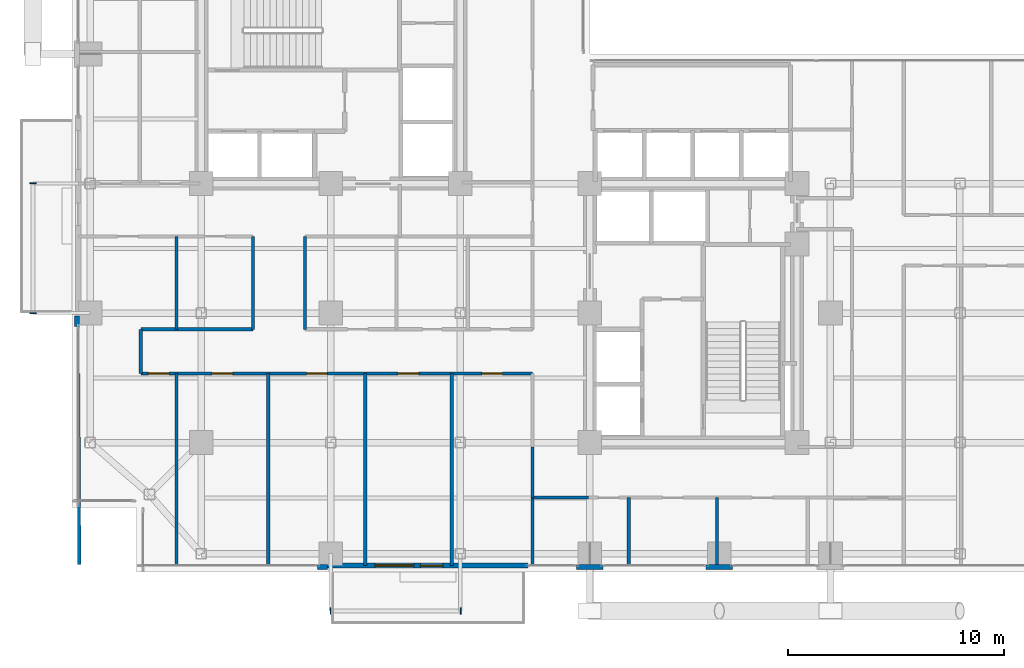
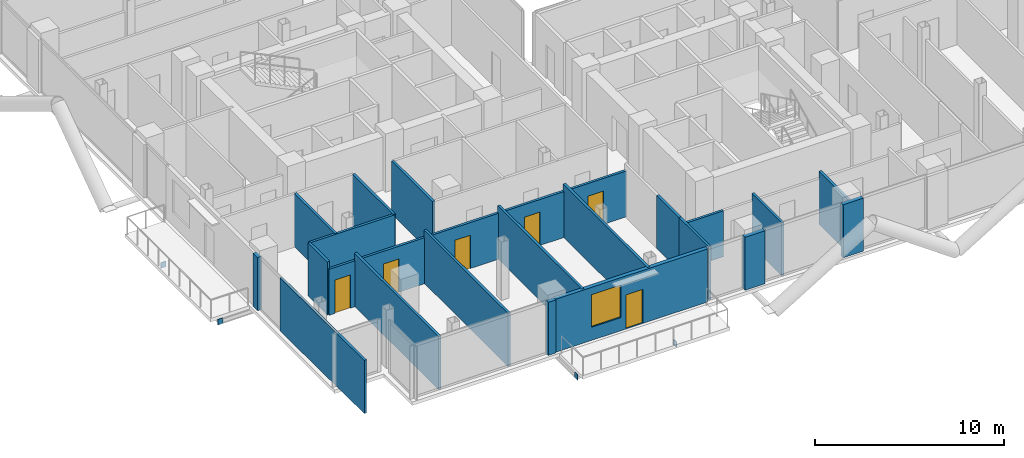
# One storey, part 18 of 24: 21 walls, 6 doors, 4 plates, 1 window, 7 openings.
"""IFC4 building model written with IfcOpenShell, lengths in metres."""

from ifc_helpers import new_model, si_unit, direction, frame, frame_2d, origin, origin_2d, place, context, subcontext, project, spatial, rectangle, extrude, material, layer, layer_set, type_object, element, fill, save


model = new_model("IFC4")

# Units and contexts
model_context = context("Model", 3, precision=1e-05, world=origin(), true_north=direction((0.0, 1.0)))
body_context = subcontext(model_context, "Body", "Model", "MODEL_VIEW")
ifc_project = project(units=[si_unit("LENGTHUNIT", "METRE"), si_unit("AREAUNIT", "SQUARE_METRE"), si_unit("VOLUMEUNIT", "CUBIC_METRE"), si_unit("PLANEANGLEUNIT", "RADIAN"), si_unit("MASSUNIT", "GRAM", prefix="KILO"), si_unit("THERMODYNAMICTEMPERATUREUNIT", "KELVIN"), si_unit("POWERUNIT", "WATT")], contexts=[model_context])

# Site, building, storey
site_placement = place(None, origin())
site = spatial("IfcSite", under=ifc_project, at=site_placement, CompositionType="ELEMENT")
building_placement = place(site_placement, origin())
building = spatial("IfcBuilding", under=site, at=building_placement, Name="Svarakhadi Broadcast Tower", CompositionType="ELEMENT")
storey_placement = place(building_placement, frame((0.0, 0.0, 160.64990234375)))
storey = spatial("IfcBuildingStorey", under=building, at=storey_placement, Name="L39", CompositionType="ELEMENT", Elevation=160.64990234375)

# Plates
ifc_material_1 = material(Name="Steel S460ML (IS 2062 E450BR)", Category="steel")
ifc_layer_1 = layer(ifc_material_1, 0.028076171875)
ifc_layer_set_1 = layer_set([ifc_layer_1], Name="Steel S460ML (IS 2062 E450BR)")
plate_type = type_object("IfcPlateType", Name="Cap_Plate_CP02", PredefinedType="USERDEFINED", material=ifc_layer_set_1)
for number, where, z_axis, x_axis, name in (
    (1, (11.985107421875, -1.800048828125, -0.55517578125), (0.0, 0.0, 1.0), (1.0, 0.0, 0.0), "L39 Balcony Spandrel End Cap Plate 1F-A"),
    (2, (18.014892578125, -1.800048828125, -0.55517578125), (0.0, 0.0, 1.0), (1.0, 0.0, 0.0), "L39 Balcony Spandrel End Cap Plate 1F-B"),
):
    element("IfcPlate", number, at=place(storey_placement, frame(where, z_axis=z_axis, x_axis=x_axis)), inside=storey, type_object=plate_type, Name=name, ObjectType="FLANGE_PLATE", PredefinedType="USERDEFINED", context=body_context, shape_type="SweptSolid", body=[
        extrude(rectangle(XDim=0.0400390625, YDim=0.300048828125, at=origin_2d()), origin(), (0.0, 0.0, 1.0), 0.360107421875),
    ])
for number, where, z_axis, x_axis, name in (
    (3, (-1.800048828125, 11.985107421875, -0.55517578125), (0.0, 0.0, 1.0), (1.0, 0.0, 0.0), "L39 Balcony Spandrel End Cap Plate 2F-A"),
    (4, (-1.800048828125, 18.014892578125, -0.55517578125), (0.0, 0.0, 1.0), (1.0, 0.0, 0.0), "L39 Balcony Spandrel End Cap Plate 2F-B"),
):
    element("IfcPlate", number, at=place(storey_placement, frame(where, z_axis=z_axis, x_axis=x_axis)), inside=storey, type_object=plate_type, Name=name, ObjectType="FLANGE_PLATE", PredefinedType="USERDEFINED", context=body_context, shape_type="SweptSolid", body=[
        extrude(rectangle(XDim=0.300048828125, YDim=0.0400390625, at=origin_2d()), origin(), (0.0, 0.0, 1.0), 0.360107421875),
    ])

# Wall, openings, door, window
ifc_material_2 = material(Name="Concrete C40/50 (IS 456 M50)", Category="concrete")
ifc_layer_2 = layer(ifc_material_2, 0.239990234375)
ifc_layer_set_2 = layer_set([ifc_layer_2], Name="Concrete C40/50 (IS 456 M50)")
wall_type_1 = type_object("IfcWallType", Name="Wall_Ext_240", PredefinedType="SOLIDWALL", material=ifc_layer_set_2)
wall_1_placement = place(storey_placement, frame((21.14501953125, 0.300048828125, 0.0), z_axis=(0.0, 0.0, 1.0), x_axis=(-1.0, 0.0, 0.0)))
wall_1 = element("IfcWall", 5, at=wall_1_placement, inside=storey, type_object=wall_type_1, Name="L39 South Tree Balcony Spandrel Wall", PredefinedType="SOLIDWALL", context=body_context, shape_type="SweptSolid", body=[
    extrude(rectangle(XDim=9.2900390625, YDim=0.239990234375, at=frame_2d((4.64501953125, 0.0))), origin(), (0.0, 0.0, 1.0), 3.425048828125),
])
opening_1_placement = place(wall_1_placement, frame((3.945068359375, 0.0, 0.0)))
opening_1 = element("IfcOpeningElement", 6, at=opening_1_placement, cuts=wall_1, Name="Opening ED-05", PredefinedType="OPENING", context=body_context, shape_type="SweptSolid", body=[
    extrude(rectangle(XDim=1.050048828125, YDim=2.199951171875, at=frame_2d((0.52490234375, 1.10009765625))), frame((0.0, 0.1298828125, 0.0), z_axis=(0.0, -1.0, 0.0), x_axis=(1.0, 0.0, 0.0)), (0.0, 0.0, 1.0), 0.260009765625),
])
opening_2_placement = place(wall_1_placement, frame((5.300048828125, 0.0, 0.85009765625)))
opening_2 = element("IfcOpeningElement", 7, at=opening_2_placement, cuts=wall_1, Name="Opening WN-02", PredefinedType="OPENING", context=body_context, shape_type="SweptSolid", body=[
    extrude(rectangle(XDim=1.800048828125, YDim=2.10009765625, at=frame_2d((0.89990234375, 1.050048828125))), frame((0.0, 0.1298828125, 0.0), z_axis=(0.0, -1.0, 0.0), x_axis=(1.0, 0.0, 0.0)), (0.0, 0.0, 1.0), 0.260009765625),
])
ifc_material_3 = material(Name="Anodised Bronze Aluminium AA 6063-T6", Category="aluminium")
door_type_1 = type_object("IfcDoorType", Name="Door_Ext_ED05", OperationType="SINGLE_SWING_LEFT", PredefinedType="DOOR", material=ifc_material_3)
door_1_placement = place(opening_1_placement, origin())
door_1 = element("IfcDoor", 8, at=door_1_placement, inside=storey, type_object=door_type_1, Name="L39 South Tree Balcony Door", OperationType="SINGLE_SWING_LEFT", OverallHeight=2.199951171875, OverallWidth=1.050048828125, PredefinedType="DOOR", context=body_context, shape_type="SweptSolid", body=[
    extrude(rectangle(XDim=1.050048828125, YDim=2.199951171875, at=frame_2d((0.52490234375, 1.10009765625))), frame((0.0, 0.02490234375, 0.0), z_axis=(0.0, -1.0, 0.0), x_axis=(1.0, 0.0, 0.0)), (0.0, 0.0, 1.0), 0.050048828125),
])
fill(opening_1, door_1)
ifc_material_4 = material(Name="Double Low-E Laminated Acoustic Glass IGU 36 mm", Category="glass")
window_type = type_object("IfcWindowType", Name="Win_Fixed_WN02", PartitioningType="SINGLE_PANEL", PredefinedType="WINDOW", material=ifc_material_4)
window_placement = place(opening_2_placement, origin())
window = element("IfcWindow", 9, at=window_placement, inside=storey, type_object=window_type, Name="L39 South Tree Balcony Window", OverallHeight=2.10009765625, OverallWidth=1.800048828125, PartitioningType="SINGLE_PANEL", PredefinedType="WINDOW", context=body_context, shape_type="SweptSolid", body=[
    extrude(rectangle(XDim=1.800048828125, YDim=2.10009765625, at=frame_2d((0.89990234375, 1.050048828125))), frame((0.0, 0.030029296875, 0.0), z_axis=(0.0, -1.0, 0.0), x_axis=(1.0, 0.0, 0.0)), (0.0, 0.0, 1.0), 0.06005859375),
])
fill(opening_2, window)

# Walls
wall_2_placement = place(storey_placement, frame((0.239990234375, 11.385009765625, 0.0), z_axis=(0.0, 0.0, 1.0), x_axis=(0.0, 1.0, 0.0)))
element("IfcWall", 10, at=wall_2_placement, inside=storey, type_object=wall_type_1, Name="L39 Perimeter Bronze Spandrel Closure Wall 01", PredefinedType="SOLIDWALL", context=body_context, shape_type="SweptSolid", body=[
    extrude(rectangle(XDim=0.469970703125, YDim=0.239990234375, at=frame_2d((0.23486328125, 0.0))), origin(), (0.0, 0.0, 1.0), 3.425048828125),
])
for number, where, z_axis, x_axis, name in (
    (11, (30.614990234375, 0.239990234375, 0.0), (0.0, 0.0, 1.0), (-1.0, 0.0, 0.0), "L39 Perimeter Bronze Spandrel Closure Wall 08"),
    (12, (24.614990234375, 0.239990234375, 0.0), (0.0, 0.0, 1.0), (-1.0, 0.0, 0.0), "L39 Perimeter Bronze Spandrel Closure Wall 09"),
):
    element("IfcWall", number, at=place(storey_placement, frame(where, z_axis=z_axis, x_axis=x_axis)), inside=storey, type_object=wall_type_1, Name=name, PredefinedType="SOLIDWALL", context=body_context, shape_type="SweptSolid", body=[
        extrude(rectangle(XDim=1.22998046875, YDim=0.239990234375, at=frame_2d((0.614990234375, 0.0))), origin(), (0.0, 0.0, 1.0), 3.425048828125),
    ])
wall_3_placement = place(storey_placement, frame((11.85498046875, 0.239990234375, 0.0), z_axis=(0.0, 0.0, 1.0), x_axis=(-1.0, 0.0, 0.0)))
element("IfcWall", 13, at=wall_3_placement, inside=storey, type_object=wall_type_1, Name="L39 Perimeter Bronze Spandrel Closure Wall 10", PredefinedType="SOLIDWALL", context=body_context, shape_type="SweptSolid", body=[
    extrude(rectangle(XDim=0.469970703125, YDim=0.239990234375, at=frame_2d((0.23486328125, 0.0))), origin(), (0.0, 0.0, 1.0), 3.425048828125),
])
ifc_material_5 = material(Name="Autoclaved Aerated Concrete Blockwork 150 mm", Category="masonry")
ifc_layer_3 = layer(ifc_material_5, 0.14990234375)
ifc_layer_set_3 = layer_set([ifc_layer_3], Name="Autoclaved Aerated Concrete Blockwork 150 mm")
wall_type_2 = type_object("IfcWallType", Name="Wall_Part_150", PredefinedType="PARTITIONING", material=ifc_layer_set_3)
wall_4_placement = place(storey_placement, frame((23.949951171875, 3.449951171875, 0.0), z_axis=(0.0, 0.0, 1.0), x_axis=(-1.0, 0.0, 0.0)))
element("IfcWall", 14, at=wall_4_placement, inside=storey, type_object=wall_type_2, Name="L39 Zone 2/3 Corridor Wall", PredefinedType="PARTITIONING", context=body_context, shape_type="SweptSolid", body=[
    extrude(rectangle(XDim=2.599853515625, YDim=0.14990234375, at=frame_2d((1.2998046875, 0.0))), origin(), (0.0, 0.0, 1.0), 2.967041015625),
])
wall_5_placement = place(storey_placement, frame((21.35009765625, 3.449951171875, 0.0), z_axis=(0.0, 0.0, 1.0), x_axis=(0.0, 1.0, 0.0)))
element("IfcWall", 15, at=wall_5_placement, inside=storey, type_object=wall_type_2, Name="L39 Zone 2/3 Corridor Wall", PredefinedType="PARTITIONING", context=body_context, shape_type="SweptSolid", body=[
    extrude(rectangle(XDim=2.35009765625, YDim=0.14990234375, at=frame_2d((1.175048828125, 0.0))), origin(), (0.0, 0.0, 1.0), 3.425048828125),
])

# Wall, openings, doors
wall_6_placement = place(storey_placement, frame((21.35009765625, 9.199951171875, 0.0), z_axis=(0.0, 0.0, 1.0), x_axis=(-1.0, 0.0, 0.0)))
wall_6 = element("IfcWall", 16, at=wall_6_placement, inside=storey, type_object=wall_type_2, Name="L39 Zone 2/3 Corridor Wall", PredefinedType="PARTITIONING", context=body_context, shape_type="SweptSolid", body=[
    extrude(rectangle(XDim=18.150146484375, YDim=0.14990234375, at=frame_2d((9.0751953125, 0.0))), origin(), (0.0, 0.0, 1.0), 2.967041015625),
])
opening_3_placement = place(wall_6_placement, frame((16.85009765625, 0.0, 0.0)))
opening_3 = element("IfcOpeningElement", 17, at=opening_3_placement, cuts=wall_6, Name="Opening D-07", PredefinedType="OPENING", context=body_context, shape_type="SweptSolid", body=[
    extrude(rectangle(XDim=0.949951171875, YDim=2.14990234375, at=frame_2d((0.47509765625, 1.074951171875))), frame((0.0, 0.0849609375, 0.0), z_axis=(0.0, -1.0, 0.0), x_axis=(1.0, 0.0, 0.0)), (0.0, 0.0, 1.0), 0.169921875),
])
opening_4_placement = place(wall_6_placement, frame((13.89990234375, 0.0, 0.0)))
opening_4 = element("IfcOpeningElement", 18, at=opening_4_placement, cuts=wall_6, Name="Opening D-06", PredefinedType="OPENING", context=body_context, shape_type="SweptSolid", body=[
    extrude(rectangle(XDim=0.949951171875, YDim=2.14990234375, at=frame_2d((0.47509765625, 1.074951171875))), frame((0.0, 0.0849609375, 0.0), z_axis=(0.0, -1.0, 0.0), x_axis=(1.0, 0.0, 0.0)), (0.0, 0.0, 1.0), 0.169921875),
])
opening_5_placement = place(wall_6_placement, frame((9.52490234375, 0.0, 0.0)))
opening_5 = element("IfcOpeningElement", 19, at=opening_5_placement, cuts=wall_6, Name="Opening D-07", PredefinedType="OPENING", context=body_context, shape_type="SweptSolid", body=[
    extrude(rectangle(XDim=0.949951171875, YDim=2.14990234375, at=frame_2d((0.47509765625, 1.074951171875))), frame((0.0, 0.0849609375, 0.0), z_axis=(0.0, -1.0, 0.0), x_axis=(1.0, 0.0, 0.0)), (0.0, 0.0, 1.0), 0.169921875),
])
opening_6_placement = place(wall_6_placement, frame((5.27490234375, 0.0, 0.0)))
opening_6 = element("IfcOpeningElement", 20, at=opening_6_placement, cuts=wall_6, Name="Opening D-06", PredefinedType="OPENING", context=body_context, shape_type="SweptSolid", body=[
    extrude(rectangle(XDim=0.949951171875, YDim=2.14990234375, at=frame_2d((0.47509765625, 1.074951171875))), frame((0.0, 0.0849609375, 0.0), z_axis=(0.0, -1.0, 0.0), x_axis=(1.0, 0.0, 0.0)), (0.0, 0.0, 1.0), 0.169921875),
])
opening_7_placement = place(wall_6_placement, frame((1.39990234375, 0.0, 0.0)))
opening_7 = element("IfcOpeningElement", 21, at=opening_7_placement, cuts=wall_6, Name="Opening D-07", PredefinedType="OPENING", context=body_context, shape_type="SweptSolid", body=[
    extrude(rectangle(XDim=0.949951171875, YDim=2.14990234375, at=frame_2d((0.47509765625, 1.074951171875))), frame((0.0, 0.0849609375, 0.0), z_axis=(0.0, -1.0, 0.0), x_axis=(1.0, 0.0, 0.0)), (0.0, 0.0, 1.0), 0.169921875),
])
ifc_material_6 = material(Name="Solid-Core Teak Veneer Acoustic Timber Leaf", Category="wood")
door_type_2 = type_object("IfcDoorType", Name="Door_Office_D06", OperationType="SINGLE_SWING_LEFT", PredefinedType="DOOR", material=ifc_material_6)
door_2_placement = place(opening_4_placement, origin())
door_2 = element("IfcDoor", 22, at=door_2_placement, inside=storey, type_object=door_type_2, Name="L39 Children Media Workshop Door", OperationType="SINGLE_SWING_LEFT", OverallHeight=2.14990234375, OverallWidth=0.949951171875, PredefinedType="DOOR", context=body_context, shape_type="SweptSolid", body=[
    extrude(rectangle(XDim=0.949951171875, YDim=2.14990234375, at=frame_2d((0.47509765625, 1.074951171875))), frame((0.0, 0.02490234375, 0.0), z_axis=(0.0, -1.0, 0.0), x_axis=(1.0, 0.0, 0.0)), (0.0, 0.0, 1.0), 0.050048828125),
])
fill(opening_4, door_2)
door_3_placement = place(opening_6_placement, origin())
door_3 = element("IfcDoor", 23, at=door_3_placement, inside=storey, type_object=door_type_2, Name="L39 Research Desk Door", OperationType="SINGLE_SWING_LEFT", OverallHeight=2.14990234375, OverallWidth=0.949951171875, PredefinedType="DOOR", context=body_context, shape_type="SweptSolid", body=[
    extrude(rectangle(XDim=0.949951171875, YDim=2.14990234375, at=frame_2d((0.47509765625, 1.074951171875))), frame((0.0, 0.02490234375, 0.0), z_axis=(0.0, -1.0, 0.0), x_axis=(1.0, 0.0, 0.0)), (0.0, 0.0, 1.0), 0.050048828125),
])
fill(opening_6, door_3)
door_type_3 = type_object("IfcDoorType", Name="Door_Office_D07", OperationType="SINGLE_SWING_RIGHT", PredefinedType="DOOR", material=ifc_material_6)
door_4_placement = place(opening_3_placement, origin())
door_4 = element("IfcDoor", 24, at=door_4_placement, inside=storey, type_object=door_type_3, Name="L39 Documentary Editorial Bullpen Door", OperationType="SINGLE_SWING_RIGHT", OverallHeight=2.14990234375, OverallWidth=0.949951171875, PredefinedType="DOOR", context=body_context, shape_type="SweptSolid", body=[
    extrude(rectangle(XDim=0.949951171875, YDim=2.14990234375, at=frame_2d((0.47509765625, 1.074951171875))), frame((0.0, 0.02490234375, 0.0), z_axis=(0.0, -1.0, 0.0), x_axis=(1.0, 0.0, 0.0)), (0.0, 0.0, 1.0), 0.050048828125),
])
fill(opening_3, door_4)
door_5_placement = place(opening_5_placement, origin())
door_5 = element("IfcDoor", 25, at=door_5_placement, inside=storey, type_object=door_type_3, Name="L39 Educational Curriculum Room Door", OperationType="SINGLE_SWING_RIGHT", OverallHeight=2.14990234375, OverallWidth=0.949951171875, PredefinedType="DOOR", context=body_context, shape_type="SweptSolid", body=[
    extrude(rectangle(XDim=0.949951171875, YDim=2.14990234375, at=frame_2d((0.47509765625, 1.074951171875))), frame((0.0, 0.02490234375, 0.0), z_axis=(0.0, -1.0, 0.0), x_axis=(1.0, 0.0, 0.0)), (0.0, 0.0, 1.0), 0.050048828125),
])
fill(opening_5, door_5)
door_6_placement = place(opening_7_placement, origin())
door_6 = element("IfcDoor", 26, at=door_6_placement, inside=storey, type_object=door_type_3, Name="L39 Investigative Podcast Booth Door", OperationType="SINGLE_SWING_RIGHT", OverallHeight=2.14990234375, OverallWidth=0.949951171875, PredefinedType="DOOR", context=body_context, shape_type="SweptSolid", body=[
    extrude(rectangle(XDim=0.949951171875, YDim=2.14990234375, at=frame_2d((0.47509765625, 1.074951171875))), frame((0.0, 0.02490234375, 0.0), z_axis=(0.0, -1.0, 0.0), x_axis=(1.0, 0.0, 0.0)), (0.0, 0.0, 1.0), 0.050048828125),
])
fill(opening_7, door_6)

# Walls
wall_7_placement = place(storey_placement, frame((3.199951171875, 9.199951171875, 0.0), z_axis=(0.0, 0.0, 1.0), x_axis=(0.0, 1.0, 0.0)))
element("IfcWall", 27, at=wall_7_placement, inside=storey, type_object=wall_type_2, Name="L39 Zone 2/3 Corridor Wall", PredefinedType="PARTITIONING", context=body_context, shape_type="SweptSolid", body=[
    extrude(rectangle(XDim=2.050048828125, YDim=0.14990234375, at=frame_2d((1.02490234375, 0.0))), origin(), (0.0, 0.0, 1.0), 3.425048828125),
])
wall_8_placement = place(storey_placement, frame((3.199951171875, 11.25, 0.0), z_axis=(0.0, 0.0, 1.0), x_axis=(1.0, 0.0, 0.0)))
element("IfcWall", 28, at=wall_8_placement, inside=storey, type_object=wall_type_2, Name="L39 Zone 2/3 Corridor Wall", PredefinedType="PARTITIONING", context=body_context, shape_type="SweptSolid", body=[
    extrude(rectangle(XDim=5.199951171875, YDim=0.14990234375, at=frame_2d((2.60009765625, 0.0))), origin(), (0.0, 0.0, 1.0), 3.425048828125),
])
for number, where, z_axis, x_axis, name in (
    (29, (8.39990234375, 11.25, 0.0), (0.0, 0.0, 1.0), (0.0, 1.0, 0.0), "L39 Zone 2/3 Corridor Wall"),
    (30, (10.800048828125, 15.550048828125, 0.0), (0.0, 0.0, 1.0), (0.0, -1.0, 0.0), "L39 Zone 2/3 Corridor Wall"),
):
    element("IfcWall", number, at=place(storey_placement, frame(where, z_axis=z_axis, x_axis=x_axis)), inside=storey, type_object=wall_type_2, Name=name, PredefinedType="PARTITIONING", context=body_context, shape_type="SweptSolid", body=[
        extrude(rectangle(XDim=4.300048828125, YDim=0.14990234375, at=frame_2d((2.14990234375, 0.0))), origin(), (0.0, 0.0, 1.0), 3.425048828125),
    ])
for number, where, z_axis, x_axis, name in (
    (31, (21.35009765625, 0.300048828125, 0.0), (0.0, 0.0, 1.0), (0.0, 1.0, 0.0), "L39 Harbour Front Production Office Wall"),
    (32, (25.800048828125, 0.300048828125, 0.0), (0.0, 0.0, 1.0), (0.0, 1.0, 0.0), "L39 Harbour Front Production Office Wall"),
    (33, (29.89990234375, 0.300048828125, 0.0), (0.0, 0.0, 1.0), (0.0, 1.0, 0.0), "L39 Client Preview Briefing Room Wall"),
):
    element("IfcWall", number, at=place(storey_placement, frame(where, z_axis=z_axis, x_axis=x_axis)), inside=storey, type_object=wall_type_2, Name=name, PredefinedType="PARTITIONING", context=body_context, shape_type="SweptSolid", body=[
        extrude(rectangle(XDim=3.14990234375, YDim=0.14990234375, at=frame_2d((1.574951171875, 0.0))), origin(), (0.0, 0.0, 1.0), 3.425048828125),
    ])
wall_9_placement = place(storey_placement, frame((0.35009765625, 0.35009765625, 0.0), z_axis=(0.0, 0.0, 1.0), x_axis=(-0.005655237989, 0.999984009014, 0.0)))
element("IfcWall", 34, at=wall_9_placement, inside=storey, type_object=wall_type_2, Name="L39 Documentary Editorial Bullpen Wall", PredefinedType="PARTITIONING", context=body_context, shape_type="SweptSolid", body=[
    extrude(rectangle(XDim=8.85009765625, YDim=0.14990234375, at=frame_2d((4.425048828125, 0.0))), origin(), (0.0, 0.0, 1.0), 3.425048828125),
])
for number, where, z_axis, x_axis, name in (
    (35, (4.85009765625, 0.300048828125, 0.0), (0.0, 0.0, 1.0), (0.0, 1.0, 0.0), "L39 Documentary Editorial Bullpen Wall"),
    (36, (9.10009765625, 0.300048828125, 0.0), (0.0, 0.0, 1.0), (0.0, 1.0, 0.0), "L39 Children Media Workshop Wall"),
    (37, (13.60009765625, 0.300048828125, 0.0), (0.0, 0.0, 1.0), (0.0, 1.0, 0.0), "L39 Educational Curriculum Room Wall"),
    (38, (17.60009765625, 0.300048828125, 0.0), (0.0, 0.0, 1.0), (0.0, 1.0, 0.0), "L39 Research Desk Wall"),
):
    element("IfcWall", number, at=place(storey_placement, frame(where, z_axis=z_axis, x_axis=x_axis)), inside=storey, type_object=wall_type_2, Name=name, PredefinedType="PARTITIONING", context=body_context, shape_type="SweptSolid", body=[
        extrude(rectangle(XDim=8.89990234375, YDim=0.14990234375, at=frame_2d((4.449951171875, 0.0))), origin(), (0.0, 0.0, 1.0), 3.425048828125),
    ])
wall_10_placement = place(storey_placement, frame((4.85009765625, 11.25, 0.0), z_axis=(0.0, 0.0, 1.0), x_axis=(0.0, 1.0, 0.0)))
element("IfcWall", 39, at=wall_10_placement, inside=storey, type_object=wall_type_2, Name="L39 Research Library Lounge Wall", PredefinedType="PARTITIONING", context=body_context, shape_type="SweptSolid", body=[
    extrude(rectangle(XDim=4.300048828125, YDim=0.14990234375, at=frame_2d((2.14990234375, 0.0))), origin(), (0.0, 0.0, 1.0), 3.425048828125),
])

save(model, "model.ifc")
